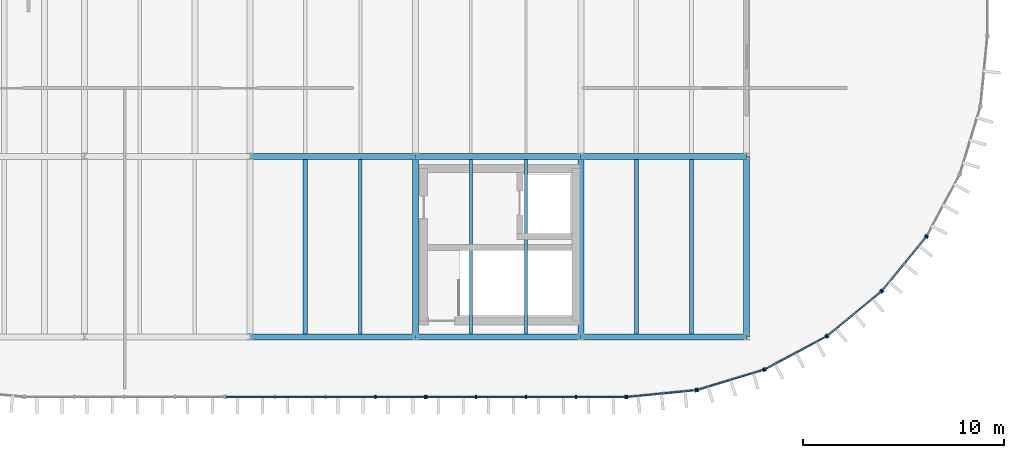
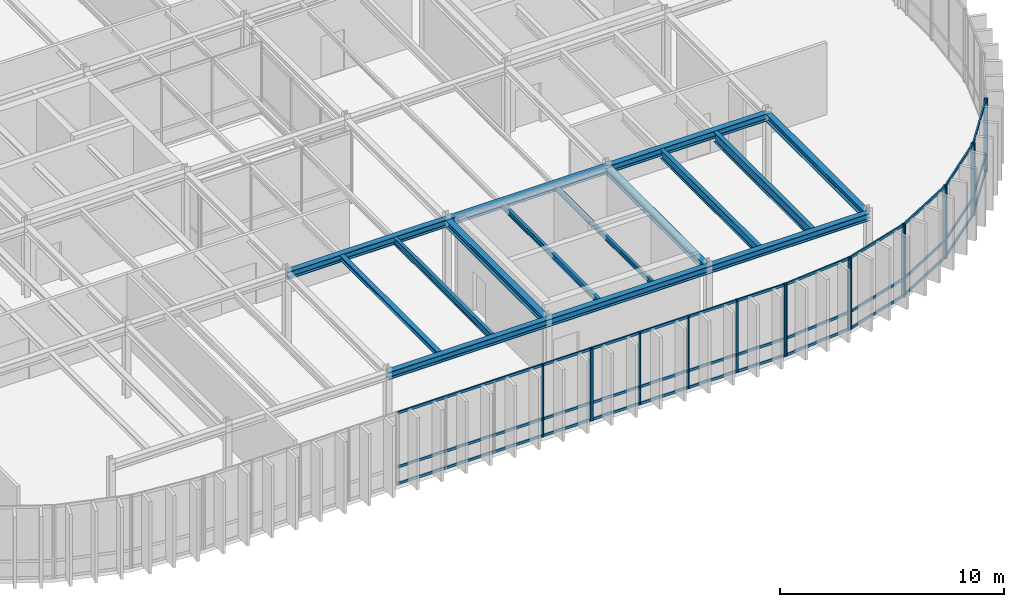
# One storey, part 10 of 21: 39 members, 15 beams, 8 elements without a shape of their own.
"""IFC4 building model written with IfcOpenShell, lengths in metres."""

from ifc_helpers import new_model, si_unit, direction, frame, origin, origin_2d, place, context, subcontext, project, spatial, rectangle, i_section, extrude, material, layer, layer_set, material_profile, profile_set, type_object, element, aggregate, save


model = new_model("IFC4")

# Units and contexts
model_context = context("Model", 3, precision=1e-05, world=origin(), true_north=direction((0.0, 1.0)))
body_context = subcontext(model_context, "Body", "Model", "MODEL_VIEW")
ifc_project = project(units=[si_unit("LENGTHUNIT", "METRE"), si_unit("AREAUNIT", "SQUARE_METRE"), si_unit("VOLUMEUNIT", "CUBIC_METRE"), si_unit("PLANEANGLEUNIT", "RADIAN"), si_unit("MASSUNIT", "GRAM", prefix="KILO")], contexts=[model_context])

# Site, building, storey
site_placement = place(None, origin())
site = spatial("IfcSite", under=ifc_project, at=site_placement, CompositionType="ELEMENT")
building_placement = place(site_placement, origin())
building = spatial("IfcBuilding", under=site, at=building_placement, Name="Montealbar Specialist Clinic", CompositionType="ELEMENT")
storey_placement = place(building_placement, frame((0.0, 0.0, 26.39990234375)))
storey = spatial("IfcBuildingStorey", under=building, at=storey_placement, Name="L06", CompositionType="ELEMENT", Elevation=26.39990234375)

# Beams
ifc_material_1 = material(Name="Steel S355", Category="steel")
ifc_material_profile_1 = material_profile(ifc_material_1, i_section(OverallWidth=0.300048828125, OverallDepth=0.39990234375, WebThickness=0.013427734375, FlangeThickness=0.02392578125, FilletRadius=0.027099609375, at=origin_2d()), Name="HEB 400", Category="steel")
ifc_profile_set_1 = profile_set([ifc_material_profile_1], Name="Steel S355")
beam_type_1 = type_object("IfcBeamType", Name="BM-GIRD-HEB400-EXT", PredefinedType="BEAM", material=ifc_profile_set_1)
for number, where, z_axis, x_axis, name in (
    (1, (74.25, 9.0, 3.72998046875), (1.0, 0.0, 0.0), (0.0, 1.0, 0.0), "Beam GX-L06-742-825-90"),
    (2, (82.5, 9.0, 3.72998046875), (1.0, 0.0, 0.0), (0.0, 1.0, 0.0), "Beam GX-L06-825-908-90"),
    (3, (90.75, 9.0, 3.72998046875), (1.0, 0.0, 0.0), (0.0, 1.0, 0.0), "Beam GX-L06-908-990-90"),
    (4, (74.25, 18.0, 3.72998046875), (1.0, 0.0, 0.0), (0.0, 1.0, 0.0), "Beam GX-L06-742-825-180"),
    (5, (82.5, 18.0, 3.72998046875), (1.0, 0.0, 0.0), (0.0, 1.0, 0.0), "Beam GX-L06-825-908-180"),
    (6, (90.75, 18.0, 3.72998046875), (1.0, 0.0, 0.0), (0.0, 1.0, 0.0), "Beam GX-L06-908-990-180"),
):
    element("IfcBeam", number, at=place(storey_placement, frame(where, z_axis=z_axis, x_axis=x_axis)), inside=storey, type_object=beam_type_1, Name=name, PredefinedType="BEAM", context=body_context, shape_type="SweptSolid", body=[
        extrude(i_section(OverallWidth=0.300048828125, OverallDepth=0.39990234375, WebThickness=0.013427734375, FlangeThickness=0.02392578125, FilletRadius=0.027099609375, at=origin_2d()), origin(), (0.0, 0.0, 1.0), 8.25),
    ])
for number, where, z_axis, x_axis, name in (
    (7, (82.5, 9.0, 3.72998046875), (0.0, 1.0, 0.0), (-1.0, 0.0, 0.0), "Beam GY-L06-825-90-180"),
    (8, (90.75, 9.0, 3.72998046875), (0.0, 1.0, 0.0), (-1.0, 0.0, 0.0), "Beam GY-L06-908-90-180"),
    (9, (99.0, 9.0, 3.72998046875), (0.0, 1.0, 0.0), (-1.0, 0.0, 0.0), "Beam GY-L06-990-90-180"),
):
    element("IfcBeam", number, at=place(storey_placement, frame(where, z_axis=z_axis, x_axis=x_axis)), inside=storey, type_object=beam_type_1, Name=name, PredefinedType="BEAM", context=body_context, shape_type="SweptSolid", body=[
        extrude(i_section(OverallWidth=0.300048828125, OverallDepth=0.39990234375, WebThickness=0.013427734375, FlangeThickness=0.02392578125, FilletRadius=0.027099609375, at=origin_2d()), origin(), (0.0, 0.0, 1.0), 9.0),
    ])
ifc_material_profile_2 = material_profile(ifc_material_1, i_section(OverallWidth=0.135009765625, OverallDepth=0.27001953125, WebThickness=0.006591796875, FlangeThickness=0.01025390625, FilletRadius=0.014892578125, at=origin_2d()), Name="IPE 270", Category="steel")
ifc_profile_set_2 = profile_set([ifc_material_profile_2], Name="Steel S355")
beam_type_2 = type_object("IfcBeamType", Name="BM-JST-IPE270", PredefinedType="JOIST", material=ifc_profile_set_2)
beam_1_placement = place(storey_placement, frame((88.0, 9.14990234375, 3.795166015625), z_axis=(0.0, 1.0, 0.0), x_axis=(-1.0, 0.0, 0.0)))
element("IfcBeam", 10, at=beam_1_placement, inside=storey, type_object=beam_type_2, Name="Beam JST-L06-880-92-178", PredefinedType="JOIST", context=body_context, shape_type="SweptSolid", body=[
    extrude(i_section(OverallWidth=0.135009765625, OverallDepth=0.27001953125, WebThickness=0.006591796875, FlangeThickness=0.01025390625, FilletRadius=0.014892578125, at=origin_2d()), origin(), (0.0, 0.0, 1.0), 8.7001953125),
])
ifc_material_profile_3 = material_profile(ifc_material_1, i_section(OverallWidth=0.14990234375, OverallDepth=0.300048828125, WebThickness=0.007080078125, FlangeThickness=0.0107421875, FilletRadius=0.014892578125, at=origin_2d()), Name="IPE 300", Category="steel")
ifc_profile_set_3 = profile_set([ifc_material_profile_3], Name="Steel S355")
beam_type_3 = type_object("IfcBeamType", Name="BM-JST-IPE300", PredefinedType="JOIST", material=ifc_profile_set_3)
beam_2_placement = place(storey_placement, frame((85.25, 9.14990234375, 3.780029296875), z_axis=(0.0, 1.0, 0.0), x_axis=(-1.0, 0.0, 0.0)))
element("IfcBeam", 11, at=beam_2_placement, inside=storey, type_object=beam_type_3, Name="Beam JST-L06-852-92-178", PredefinedType="JOIST", context=body_context, shape_type="SweptSolid", body=[
    extrude(i_section(OverallWidth=0.14990234375, OverallDepth=0.300048828125, WebThickness=0.007080078125, FlangeThickness=0.0107421875, FilletRadius=0.014892578125, at=origin_2d()), origin(), (0.0, 0.0, 1.0), 8.7001953125),
])
ifc_material_profile_4 = material_profile(ifc_material_1, i_section(OverallWidth=0.169921875, OverallDepth=0.360107421875, WebThickness=0.008056640625, FlangeThickness=0.0126953125, FilletRadius=0.01806640625, at=origin_2d()), Name="IPE 360", Category="steel")
ifc_profile_set_4 = profile_set([ifc_material_profile_4], Name="Steel S355")
beam_type_4 = type_object("IfcBeamType", Name="BM-JST-IPE360", PredefinedType="JOIST", material=ifc_profile_set_4)
beam_3_placement = place(storey_placement, frame((79.75, 9.14990234375, 3.75), z_axis=(0.0, 1.0, 0.0), x_axis=(-1.0, 0.0, 0.0)))
element("IfcBeam", 12, at=beam_3_placement, inside=storey, type_object=beam_type_4, Name="Beam JST-L06-798-92-178", PredefinedType="JOIST", context=body_context, shape_type="SweptSolid", body=[
    extrude(i_section(OverallWidth=0.169921875, OverallDepth=0.360107421875, WebThickness=0.008056640625, FlangeThickness=0.0126953125, FilletRadius=0.01806640625, at=origin_2d()), origin(), (0.0, 0.0, 1.0), 8.7001953125),
])
ifc_material_profile_5 = material_profile(ifc_material_1, i_section(OverallWidth=0.199951171875, OverallDepth=0.5, WebThickness=0.01025390625, FlangeThickness=0.01611328125, FilletRadius=0.02099609375, at=origin_2d()), Name="IPE 500", Category="steel")
ifc_profile_set_5 = profile_set([ifc_material_profile_5], Name="Steel S355")
beam_type_5 = type_object("IfcBeamType", Name="BM-JST-IPE500", PredefinedType="JOIST", material=ifc_profile_set_5)
beam_4_placement = place(storey_placement, frame((93.5, 9.14990234375, 3.68017578125), z_axis=(0.0, 1.0, 0.0), x_axis=(-1.0, 0.0, 0.0)))
element("IfcBeam", 13, at=beam_4_placement, inside=storey, type_object=beam_type_5, Name="Beam JST-L06-935-92-178", PredefinedType="JOIST", context=body_context, shape_type="SweptSolid", body=[
    extrude(i_section(OverallWidth=0.199951171875, OverallDepth=0.5, WebThickness=0.01025390625, FlangeThickness=0.01611328125, FilletRadius=0.02099609375, at=origin_2d()), origin(), (0.0, 0.0, 1.0), 8.7001953125),
])
ifc_material_profile_6 = material_profile(ifc_material_1, i_section(OverallWidth=0.2099609375, OverallDepth=0.550048828125, WebThickness=0.010986328125, FlangeThickness=0.01708984375, FilletRadius=0.02392578125, at=origin_2d()), Name="IPE 550", Category="steel")
ifc_profile_set_6 = profile_set([ifc_material_profile_6], Name="Steel S355")
beam_type_6 = type_object("IfcBeamType", Name="BM-JST-IPE550", PredefinedType="JOIST", material=ifc_profile_set_6)
beam_5_placement = place(storey_placement, frame((96.25, 9.14990234375, 3.655029296875), z_axis=(0.0, 1.0, 0.0), x_axis=(-1.0, 0.0, 0.0)))
element("IfcBeam", 14, at=beam_5_placement, inside=storey, type_object=beam_type_6, Name="Beam JST-L06-962-92-178", PredefinedType="JOIST", context=body_context, shape_type="SweptSolid", body=[
    extrude(i_section(OverallWidth=0.2099609375, OverallDepth=0.550048828125, WebThickness=0.010986328125, FlangeThickness=0.01708984375, FilletRadius=0.02392578125, at=origin_2d()), origin(), (0.0, 0.0, 1.0), 8.7001953125),
])
ifc_material_profile_7 = material_profile(ifc_material_1, i_section(OverallWidth=0.239990234375, OverallDepth=0.22998046875, WebThickness=0.007568359375, FlangeThickness=0.011962890625, FilletRadius=0.02099609375, at=origin_2d()), Name="HEA 240", Category="steel")
ifc_profile_set_7 = profile_set([ifc_material_profile_7], Name="Steel S355")
beam_type_7 = type_object("IfcBeamType", Name="BM-SPAND-HEA240", PredefinedType="SPANDREL", material=ifc_profile_set_7)
beam_6_placement = place(storey_placement, frame((77.0, 9.14990234375, 3.815185546875), z_axis=(0.0, 1.0, 0.0), x_axis=(-1.0, 0.0, 0.0)))
element("IfcBeam", 15, at=beam_6_placement, inside=storey, type_object=beam_type_7, Name="Beam JST-L06-770-92-178", PredefinedType="SPANDREL", context=body_context, shape_type="SweptSolid", body=[
    extrude(i_section(OverallWidth=0.239990234375, OverallDepth=0.22998046875, WebThickness=0.007568359375, FlangeThickness=0.011962890625, FilletRadius=0.02099609375, at=origin_2d()), origin(), (0.0, 0.0, 1.0), 8.7001953125),
])

# Curtain wall, member
ifc_material_2 = material(Name="Low-E double glazing", Category="glass")
ifc_layer_1 = layer(ifc_material_2, 0.199951171875, Name="Low-E double glazing", Category="glass")
ifc_layer_set_1 = layer_set([ifc_layer_1], Name="Low-E double glazing")
curtain_wall_type_1 = type_object("IfcCurtainWallType", Name="CW-TYPE-12", PredefinedType="NOTDEFINED", material=ifc_layer_set_1)
curtain_wall_1_placement = place(storey_placement, origin())
curtain_wall_1 = element("IfcCurtainWall", 16, at=curtain_wall_1_placement, inside=storey, type_object=curtain_wall_type_1, Name="Unitised Curtain Wall CW-L06-1096-171-1080-140-264", PredefinedType="NOTDEFINED")
ifc_material_3 = material(Name="Anodised aluminium EN AW-6063", Category="aluminium")
ifc_material_profile_8 = material_profile(ifc_material_3, rectangle(XDim=0.070068359375, YDim=0.179931640625, at=origin_2d()), Name="ALU 70x180", Category="aluminium")
ifc_profile_set_8 = profile_set([ifc_material_profile_8], Name="Anodised aluminium EN AW-6063")
member_type_1 = type_object("IfcMemberType", Name="CW-MUL-200", PredefinedType="MULLION", material=ifc_profile_set_8)
member_1_placement = place(storey_placement, frame((107.985107421875, 14.034912109375, 0.0), z_axis=(0.0, 0.0, 1.0), x_axis=(-0.471529268958, -0.881850411644, 0.0)))
member_1 = element("IfcMember", 17, at=member_1_placement, type_object=member_type_1, Name="Curtain Wall Mullion CW-L06-1096-171-1080-140-264-01", PredefinedType="MULLION", context=body_context, shape_type="SweptSolid", body=[
    extrude(rectangle(XDim=0.070068359375, YDim=0.179931640625, at=origin_2d()), origin(), (0.0, 0.0, 1.0), 3.93017578125),
])
aggregate(curtain_wall_1, [member_1])

# Curtain wall, members
curtain_wall_2_placement = place(storey_placement, origin())
curtain_wall_2 = element("IfcCurtainWall", 18, at=curtain_wall_2_placement, inside=storey, type_object=curtain_wall_type_1, Name="Unitised Curtain Wall CW-L06-1080-140-1057-113-264", PredefinedType="NOTDEFINED")
member_2_placement = place(storey_placement, frame((107.94091796875, 13.968994140625, 0.0), z_axis=(0.0, 0.0, 1.0), x_axis=(-0.634255808922, -0.773123255923, 0.0)))
member_2 = element("IfcMember", 19, at=member_2_placement, type_object=member_type_1, Name="Curtain Wall Mullion CW-L06-1080-140-1057-113-264-00", PredefinedType="MULLION", context=body_context, shape_type="SweptSolid", body=[
    extrude(rectangle(XDim=0.070068359375, YDim=0.179931640625, at=origin_2d()), origin(), (0.0, 0.0, 1.0), 3.93017578125),
])
member_3_placement = place(storey_placement, frame((105.7529296875, 11.302978515625, 0.0), z_axis=(0.0, 0.0, 1.0), x_axis=(-0.634255808922, -0.773123255923, 0.0)))
member_3 = element("IfcMember", 20, at=member_3_placement, type_object=member_type_1, Name="Curtain Wall Mullion CW-L06-1080-140-1057-113-264-01", PredefinedType="MULLION", context=body_context, shape_type="SweptSolid", body=[
    extrude(rectangle(XDim=0.070068359375, YDim=0.179931640625, at=origin_2d()), origin(), (0.0, 0.0, 1.0), 3.93017578125),
])

curtain_wall_3_placement = place(storey_placement, origin())
curtain_wall_3 = element("IfcCurtainWall", 21, at=curtain_wall_3_placement, inside=storey, type_object=curtain_wall_type_1, Name="Unitised Curtain Wall CW-L06-1057-113-1030-90-264", PredefinedType="NOTDEFINED")
member_4_placement = place(storey_placement, frame((105.697021484375, 11.2470703125, 0.0), z_axis=(0.0, 0.0, 1.0), x_axis=(-0.773123255923, -0.634255808922, 0.0)))
member_4 = element("IfcMember", 22, at=member_4_placement, type_object=member_type_1, Name="Curtain Wall Mullion CW-L06-1057-113-1030-90-264-00", PredefinedType="MULLION", context=body_context, shape_type="SweptSolid", body=[
    extrude(rectangle(XDim=0.070068359375, YDim=0.179931640625, at=origin_2d()), origin(), (0.0, 0.0, 1.0), 3.93017578125),
])
member_5_placement = place(storey_placement, frame((103.031005859375, 9.05908203125, 0.0), z_axis=(0.0, 0.0, 1.0), x_axis=(-0.773123255923, -0.634255808922, 0.0)))
member_5 = element("IfcMember", 23, at=member_5_placement, type_object=member_type_1, Name="Curtain Wall Mullion CW-L06-1057-113-1030-90-264-01", PredefinedType="MULLION", context=body_context, shape_type="SweptSolid", body=[
    extrude(rectangle(XDim=0.070068359375, YDim=0.179931640625, at=origin_2d()), origin(), (0.0, 0.0, 1.0), 3.93017578125),
])

curtain_wall_4_placement = place(storey_placement, origin())
curtain_wall_4 = element("IfcCurtainWall", 24, at=curtain_wall_4_placement, inside=storey, type_object=curtain_wall_type_1, Name="Unitised Curtain Wall CW-L06-1030-90-999-74-264", PredefinedType="NOTDEFINED")
member_6_placement = place(storey_placement, frame((102.965087890625, 9.014892578125, 0.0), z_axis=(0.0, 0.0, 1.0), x_axis=(-0.881850411644, -0.471529268958, 0.0)))
member_6 = element("IfcMember", 25, at=member_6_placement, type_object=member_type_1, Name="Curtain Wall Mullion CW-L06-1030-90-999-74-264-00", PredefinedType="MULLION", context=body_context, shape_type="SweptSolid", body=[
    extrude(rectangle(XDim=0.070068359375, YDim=0.179931640625, at=origin_2d()), origin(), (0.0, 0.0, 1.0), 3.93017578125),
])
member_7_placement = place(storey_placement, frame((99.923095703125, 7.388916015625, 0.0), z_axis=(0.0, 0.0, 1.0), x_axis=(-0.881850411644, -0.471529268958, 0.0)))
member_7 = element("IfcMember", 26, at=member_7_placement, type_object=member_type_1, Name="Curtain Wall Mullion CW-L06-1030-90-999-74-264-01", PredefinedType="MULLION", context=body_context, shape_type="SweptSolid", body=[
    extrude(rectangle(XDim=0.070068359375, YDim=0.179931640625, at=origin_2d()), origin(), (0.0, 0.0, 1.0), 3.93017578125),
])

curtain_wall_5_placement = place(storey_placement, origin())
curtain_wall_5 = element("IfcCurtainWall", 27, at=curtain_wall_5_placement, inside=storey, type_object=curtain_wall_type_1, Name="Unitised Curtain Wall CW-L06-999-74-965-63-264", PredefinedType="NOTDEFINED")
member_8_placement = place(storey_placement, frame((99.85009765625, 7.35791015625, 0.0), z_axis=(0.0, 0.0, 1.0), x_axis=(-0.956948083701, -0.290259134399, 0.0)))
member_8 = element("IfcMember", 28, at=member_8_placement, type_object=member_type_1, Name="Curtain Wall Mullion CW-L06-999-74-965-63-264-00", PredefinedType="MULLION", context=body_context, shape_type="SweptSolid", body=[
    extrude(rectangle(XDim=0.070068359375, YDim=0.179931640625, at=origin_2d()), origin(), (0.0, 0.0, 1.0), 3.93017578125),
])
member_9_placement = place(storey_placement, frame((96.550048828125, 6.35791015625, 0.0), z_axis=(0.0, 0.0, 1.0), x_axis=(-0.956948083701, -0.290259134399, 0.0)))
member_9 = element("IfcMember", 29, at=member_9_placement, type_object=member_type_1, Name="Curtain Wall Mullion CW-L06-999-74-965-63-264-01", PredefinedType="MULLION", context=body_context, shape_type="SweptSolid", body=[
    extrude(rectangle(XDim=0.070068359375, YDim=0.179931640625, at=origin_2d()), origin(), (0.0, 0.0, 1.0), 3.93017578125),
])

curtain_wall_6_placement = place(storey_placement, origin())
curtain_wall_6 = element("IfcCurtainWall", 30, at=curtain_wall_6_placement, inside=storey, type_object=curtain_wall_type_1, Name="Unitised Curtain Wall CW-L06-965-63-930-60-264", PredefinedType="NOTDEFINED")
member_10_placement = place(storey_placement, frame((96.471923828125, 6.342041015625, 0.0), z_axis=(0.0, 0.0, 1.0), x_axis=(-0.995182012183, -0.098044697094, 0.0)))
member_10 = element("IfcMember", 31, at=member_10_placement, type_object=member_type_1, Name="Curtain Wall Mullion CW-L06-965-63-930-60-264-00", PredefinedType="MULLION", context=body_context, shape_type="SweptSolid", body=[
    extrude(rectangle(XDim=0.070068359375, YDim=0.179931640625, at=origin_2d()), origin(), (0.0, 0.0, 1.0), 3.93017578125),
])
member_11_placement = place(storey_placement, frame((93.0400390625, 6.00390625, 0.0), z_axis=(0.0, 0.0, 1.0), x_axis=(-0.995182012183, -0.098044697094, 0.0)))
member_11 = element("IfcMember", 32, at=member_11_placement, type_object=member_type_1, Name="Curtain Wall Mullion CW-L06-965-63-930-60-264-01", PredefinedType="MULLION", context=body_context, shape_type="SweptSolid", body=[
    extrude(rectangle(XDim=0.070068359375, YDim=0.179931640625, at=origin_2d()), origin(), (0.0, 0.0, 1.0), 3.93017578125),
])

ifc_layer_2 = layer(ifc_material_2, 0.199951171875, Name="Low-E double glazing", Category="glass")
ifc_layer_set_2 = layer_set([ifc_layer_2], Name="Low-E double glazing")
curtain_wall_type_2 = type_object("IfcCurtainWallType", Name="CW-TYPE-43", PredefinedType="NOTDEFINED", material=ifc_layer_set_2)
curtain_wall_7_placement = place(storey_placement, origin())
curtain_wall_7 = element("IfcCurtainWall", 33, at=curtain_wall_7_placement, inside=storey, type_object=curtain_wall_type_2, Name="Unitised Curtain Wall CW-L06-930-60-830-60-264", PredefinedType="NOTDEFINED")
member_12_placement = place(storey_placement, frame((92.9599609375, 6.0, 0.0), z_axis=(0.0, 0.0, 1.0), x_axis=(-1.0, 0.0, 0.0)))
member_12 = element("IfcMember", 34, at=member_12_placement, type_object=member_type_1, Name="Curtain Wall Mullion CW-L06-930-60-830-60-264-00", PredefinedType="MULLION", context=body_context, shape_type="SweptSolid", body=[
    extrude(rectangle(XDim=0.070068359375, YDim=0.179931640625, at=origin_2d()), origin(), (0.0, 0.0, 1.0), 3.93017578125),
])
member_13_placement = place(storey_placement, frame((90.5, 6.0, 0.0), z_axis=(0.0, 0.0, 1.0), x_axis=(-1.0, 0.0, 0.0)))
member_13 = element("IfcMember", 35, at=member_13_placement, type_object=member_type_1, Name="Curtain Wall Mullion CW-L06-930-60-830-60-264-01", PredefinedType="MULLION", context=body_context, shape_type="SweptSolid", body=[
    extrude(rectangle(XDim=0.070068359375, YDim=0.179931640625, at=origin_2d()), origin(), (0.0, 0.0, 1.0), 3.93017578125),
])
member_14_placement = place(storey_placement, frame((88.0, 6.0, 0.0), z_axis=(0.0, 0.0, 1.0), x_axis=(-1.0, 0.0, 0.0)))
member_14 = element("IfcMember", 36, at=member_14_placement, type_object=member_type_1, Name="Curtain Wall Mullion CW-L06-930-60-830-60-264-02", PredefinedType="MULLION", context=body_context, shape_type="SweptSolid", body=[
    extrude(rectangle(XDim=0.070068359375, YDim=0.179931640625, at=origin_2d()), origin(), (0.0, 0.0, 1.0), 3.93017578125),
])
member_15_placement = place(storey_placement, frame((85.5, 6.0, 0.0), z_axis=(0.0, 0.0, 1.0), x_axis=(-1.0, 0.0, 0.0)))
member_15 = element("IfcMember", 37, at=member_15_placement, type_object=member_type_1, Name="Curtain Wall Mullion CW-L06-930-60-830-60-264-03", PredefinedType="MULLION", context=body_context, shape_type="SweptSolid", body=[
    extrude(rectangle(XDim=0.070068359375, YDim=0.179931640625, at=origin_2d()), origin(), (0.0, 0.0, 1.0), 3.93017578125),
])
member_16_placement = place(storey_placement, frame((83.0400390625, 6.0, 0.0), z_axis=(0.0, 0.0, 1.0), x_axis=(-1.0, 0.0, 0.0)))
member_16 = element("IfcMember", 38, at=member_16_placement, type_object=member_type_1, Name="Curtain Wall Mullion CW-L06-930-60-830-60-264-04", PredefinedType="MULLION", context=body_context, shape_type="SweptSolid", body=[
    extrude(rectangle(XDim=0.070068359375, YDim=0.179931640625, at=origin_2d()), origin(), (0.0, 0.0, 1.0), 3.93017578125),
])

curtain_wall_8_placement = place(storey_placement, origin())
curtain_wall_8 = element("IfcCurtainWall", 39, at=curtain_wall_8_placement, inside=storey, type_object=curtain_wall_type_2, Name="Unitised Curtain Wall CW-L06-830-60-730-60-264", PredefinedType="NOTDEFINED")
member_17_placement = place(storey_placement, frame((82.9599609375, 6.0, 0.0), z_axis=(0.0, 0.0, 1.0), x_axis=(-1.0, 0.0, 0.0)))
member_17 = element("IfcMember", 40, at=member_17_placement, type_object=member_type_1, Name="Curtain Wall Mullion CW-L06-830-60-730-60-264-00", PredefinedType="MULLION", context=body_context, shape_type="SweptSolid", body=[
    extrude(rectangle(XDim=0.070068359375, YDim=0.179931640625, at=origin_2d()), origin(), (0.0, 0.0, 1.0), 3.93017578125),
])
member_18_placement = place(storey_placement, frame((80.5, 6.0, 0.0), z_axis=(0.0, 0.0, 1.0), x_axis=(-1.0, 0.0, 0.0)))
member_18 = element("IfcMember", 41, at=member_18_placement, type_object=member_type_1, Name="Curtain Wall Mullion CW-L06-830-60-730-60-264-01", PredefinedType="MULLION", context=body_context, shape_type="SweptSolid", body=[
    extrude(rectangle(XDim=0.070068359375, YDim=0.179931640625, at=origin_2d()), origin(), (0.0, 0.0, 1.0), 3.93017578125),
])

# Member
ifc_material_4 = material(Name="Powder-coated aluminium", Category="aluminium")
ifc_material_profile_9 = material_profile(ifc_material_4, rectangle(XDim=0.070068359375, YDim=0.139892578125, at=origin_2d()), Name="ALU 70x140", Category="aluminium")
ifc_profile_set_9 = profile_set([ifc_material_profile_9], Name="Powder-coated aluminium")
member_type_2 = type_object("IfcMemberType", Name="CW-TRN-140", PredefinedType="USERDEFINED", material=ifc_profile_set_9)
member_19_placement = place(storey_placement, frame((107.93408203125, 13.9609375, 0.0400390625), z_axis=(-0.634280591441, -0.773102924144, 0.0), x_axis=(0.773102924144, -0.634280591441, 0.0)))
member_19 = element("IfcMember", 42, at=member_19_placement, type_object=member_type_2, Name="Curtain Wall Transom CW-L06-1080-140-1057-113-264-00", ObjectType="TRANSOM", PredefinedType="USERDEFINED", context=body_context, shape_type="SweptSolid", body=[
    extrude(rectangle(XDim=0.070068359375, YDim=0.139892578125, at=origin_2d()), origin(), (0.0, 0.0, 1.0), 3.427734375),
])

member_20_placement = place(storey_placement, frame((107.93408203125, 13.9609375, 0.9501953125), z_axis=(-0.634280591441, -0.773102924144, 0.0), x_axis=(0.773102924144, -0.634280591441, 0.0)))
member_20 = element("IfcMember", 43, at=member_20_placement, type_object=member_type_2, Name="Curtain Wall Transom CW-L06-1080-140-1057-113-264-01", ObjectType="TRANSOM", PredefinedType="USERDEFINED", context=body_context, shape_type="SweptSolid", body=[
    extrude(rectangle(XDim=0.070068359375, YDim=0.139892578125, at=origin_2d()), origin(), (0.0, 0.0, 1.0), 3.427734375),
])

member_21_placement = place(storey_placement, frame((107.93408203125, 13.9609375, 3.89013671875), z_axis=(-0.634280591441, -0.773102924144, 0.0), x_axis=(0.773102924144, -0.634280591441, 0.0)))
member_21 = element("IfcMember", 44, at=member_21_placement, type_object=member_type_2, Name="Curtain Wall Transom CW-L06-1080-140-1057-113-264-02", ObjectType="TRANSOM", PredefinedType="USERDEFINED", context=body_context, shape_type="SweptSolid", body=[
    extrude(rectangle(XDim=0.070068359375, YDim=0.139892578125, at=origin_2d()), origin(), (0.0, 0.0, 1.0), 3.427734375),
])

aggregate(curtain_wall_2, [member_2, member_3, member_19, member_20, member_21])

member_22_placement = place(storey_placement, frame((105.68896484375, 11.239990234375, 0.0400390625), z_axis=(-0.773102924144, -0.634280591441, 0.0), x_axis=(0.634280591441, -0.773102924144, 0.0)))
member_22 = element("IfcMember", 45, at=member_22_placement, type_object=member_type_2, Name="Curtain Wall Transom CW-L06-1057-113-1030-90-264-00", ObjectType="TRANSOM", PredefinedType="USERDEFINED", context=body_context, shape_type="SweptSolid", body=[
    extrude(rectangle(XDim=0.070068359375, YDim=0.139892578125, at=origin_2d()), origin(), (0.0, 0.0, 1.0), 3.427734375),
])

member_23_placement = place(storey_placement, frame((105.68896484375, 11.239990234375, 0.9501953125), z_axis=(-0.773102924144, -0.634280591441, 0.0), x_axis=(0.634280591441, -0.773102924144, 0.0)))
member_23 = element("IfcMember", 46, at=member_23_placement, type_object=member_type_2, Name="Curtain Wall Transom CW-L06-1057-113-1030-90-264-01", ObjectType="TRANSOM", PredefinedType="USERDEFINED", context=body_context, shape_type="SweptSolid", body=[
    extrude(rectangle(XDim=0.070068359375, YDim=0.139892578125, at=origin_2d()), origin(), (0.0, 0.0, 1.0), 3.427734375),
])

member_24_placement = place(storey_placement, frame((105.68896484375, 11.239990234375, 3.89013671875), z_axis=(-0.773102924144, -0.634280591441, 0.0), x_axis=(0.634280591441, -0.773102924144, 0.0)))
member_24 = element("IfcMember", 47, at=member_24_placement, type_object=member_type_2, Name="Curtain Wall Transom CW-L06-1057-113-1030-90-264-02", ObjectType="TRANSOM", PredefinedType="USERDEFINED", context=body_context, shape_type="SweptSolid", body=[
    extrude(rectangle(XDim=0.070068359375, YDim=0.139892578125, at=origin_2d()), origin(), (0.0, 0.0, 1.0), 3.427734375),
])

aggregate(curtain_wall_3, [member_4, member_5, member_22, member_23, member_24])

member_25_placement = place(storey_placement, frame((102.9560546875, 9.010009765625, 0.0400390625), z_axis=(-0.881980147273, -0.471286558069, 0.0), x_axis=(0.471286558069, -0.881980147273, 0.0)))
member_25 = element("IfcMember", 48, at=member_25_placement, type_object=member_type_2, Name="Curtain Wall Transom CW-L06-1030-90-999-74-264-00", ObjectType="TRANSOM", PredefinedType="USERDEFINED", context=body_context, shape_type="SweptSolid", body=[
    extrude(rectangle(XDim=0.070068359375, YDim=0.139892578125, at=origin_2d()), origin(), (0.0, 0.0, 1.0), 3.428955078125),
])

member_26_placement = place(storey_placement, frame((102.9560546875, 9.010009765625, 0.9501953125), z_axis=(-0.881980147273, -0.471286558069, 0.0), x_axis=(0.471286558069, -0.881980147273, 0.0)))
member_26 = element("IfcMember", 49, at=member_26_placement, type_object=member_type_2, Name="Curtain Wall Transom CW-L06-1030-90-999-74-264-01", ObjectType="TRANSOM", PredefinedType="USERDEFINED", context=body_context, shape_type="SweptSolid", body=[
    extrude(rectangle(XDim=0.070068359375, YDim=0.139892578125, at=origin_2d()), origin(), (0.0, 0.0, 1.0), 3.428955078125),
])

member_27_placement = place(storey_placement, frame((102.9560546875, 9.010009765625, 3.89013671875), z_axis=(-0.881980147273, -0.471286558069, 0.0), x_axis=(0.471286558069, -0.881980147273, 0.0)))
member_27 = element("IfcMember", 50, at=member_27_placement, type_object=member_type_2, Name="Curtain Wall Transom CW-L06-1030-90-999-74-264-02", ObjectType="TRANSOM", PredefinedType="USERDEFINED", context=body_context, shape_type="SweptSolid", body=[
    extrude(rectangle(XDim=0.070068359375, YDim=0.139892578125, at=origin_2d()), origin(), (0.0, 0.0, 1.0), 3.428955078125),
])

aggregate(curtain_wall_4, [member_6, member_7, member_25, member_26, member_27])

member_28_placement = place(storey_placement, frame((99.840087890625, 7.35498046875, 0.0400390625), z_axis=(-0.957028598092, -0.289993555849, 0.0), x_axis=(0.289993555849, -0.957028598092, 0.0)))
member_28 = element("IfcMember", 51, at=member_28_placement, type_object=member_type_2, Name="Curtain Wall Transom CW-L06-999-74-965-63-264-00", ObjectType="TRANSOM", PredefinedType="USERDEFINED", context=body_context, shape_type="SweptSolid", body=[
    extrude(rectangle(XDim=0.070068359375, YDim=0.139892578125, at=origin_2d()), origin(), (0.0, 0.0, 1.0), 3.42724609375),
])

member_29_placement = place(storey_placement, frame((99.840087890625, 7.35498046875, 0.9501953125), z_axis=(-0.957028598092, -0.289993555849, 0.0), x_axis=(0.289993555849, -0.957028598092, 0.0)))
member_29 = element("IfcMember", 52, at=member_29_placement, type_object=member_type_2, Name="Curtain Wall Transom CW-L06-999-74-965-63-264-01", ObjectType="TRANSOM", PredefinedType="USERDEFINED", context=body_context, shape_type="SweptSolid", body=[
    extrude(rectangle(XDim=0.070068359375, YDim=0.139892578125, at=origin_2d()), origin(), (0.0, 0.0, 1.0), 3.42724609375),
])

member_30_placement = place(storey_placement, frame((99.840087890625, 7.35498046875, 3.89013671875), z_axis=(-0.957028598092, -0.289993555849, 0.0), x_axis=(0.289993555849, -0.957028598092, 0.0)))
member_30 = element("IfcMember", 53, at=member_30_placement, type_object=member_type_2, Name="Curtain Wall Transom CW-L06-999-74-965-63-264-02", ObjectType="TRANSOM", PredefinedType="USERDEFINED", context=body_context, shape_type="SweptSolid", body=[
    extrude(rectangle(XDim=0.070068359375, YDim=0.139892578125, at=origin_2d()), origin(), (0.0, 0.0, 1.0), 3.42724609375),
])

aggregate(curtain_wall_5, [member_8, member_9, member_28, member_29, member_30])

member_31_placement = place(storey_placement, frame((96.4619140625, 6.341064453125, 0.0400390625), z_axis=(-0.995180678623, -0.098058232162, 0.0), x_axis=(0.098058232162, -0.995180678623, 0.0)))
member_31 = element("IfcMember", 54, at=member_31_placement, type_object=member_type_2, Name="Curtain Wall Transom CW-L06-965-63-930-60-264-00", ObjectType="TRANSOM", PredefinedType="USERDEFINED", context=body_context, shape_type="SweptSolid", body=[
    extrude(rectangle(XDim=0.070068359375, YDim=0.139892578125, at=origin_2d()), origin(), (0.0, 0.0, 1.0), 3.428466796875),
])

member_32_placement = place(storey_placement, frame((96.4619140625, 6.341064453125, 0.9501953125), z_axis=(-0.995180678623, -0.098058232162, 0.0), x_axis=(0.098058232162, -0.995180678623, 0.0)))
member_32 = element("IfcMember", 55, at=member_32_placement, type_object=member_type_2, Name="Curtain Wall Transom CW-L06-965-63-930-60-264-01", ObjectType="TRANSOM", PredefinedType="USERDEFINED", context=body_context, shape_type="SweptSolid", body=[
    extrude(rectangle(XDim=0.070068359375, YDim=0.139892578125, at=origin_2d()), origin(), (0.0, 0.0, 1.0), 3.428466796875),
])

member_33_placement = place(storey_placement, frame((96.4619140625, 6.341064453125, 3.89013671875), z_axis=(-0.995180678623, -0.098058232162, 0.0), x_axis=(0.098058232162, -0.995180678623, 0.0)))
member_33 = element("IfcMember", 56, at=member_33_placement, type_object=member_type_2, Name="Curtain Wall Transom CW-L06-965-63-930-60-264-02", ObjectType="TRANSOM", PredefinedType="USERDEFINED", context=body_context, shape_type="SweptSolid", body=[
    extrude(rectangle(XDim=0.070068359375, YDim=0.139892578125, at=origin_2d()), origin(), (0.0, 0.0, 1.0), 3.428466796875),
])

aggregate(curtain_wall_6, [member_10, member_11, member_31, member_32, member_33])

member_34_placement = place(storey_placement, frame((92.949951171875, 6.0, 0.0400390625), z_axis=(-1.0, 0.0, 0.0), x_axis=(0.0, -1.0, 0.0)))
member_34 = element("IfcMember", 57, at=member_34_placement, type_object=member_type_2, Name="Curtain Wall Transom CW-L06-930-60-830-60-264-00", ObjectType="TRANSOM", PredefinedType="USERDEFINED", context=body_context, shape_type="SweptSolid", body=[
    extrude(rectangle(XDim=0.070068359375, YDim=0.139892578125, at=origin_2d()), origin(), (0.0, 0.0, 1.0), 9.89990234375),
])

member_35_placement = place(storey_placement, frame((92.949951171875, 6.0, 0.9501953125), z_axis=(-1.0, 0.0, 0.0), x_axis=(0.0, -1.0, 0.0)))
member_35 = element("IfcMember", 58, at=member_35_placement, type_object=member_type_2, Name="Curtain Wall Transom CW-L06-930-60-830-60-264-01", ObjectType="TRANSOM", PredefinedType="USERDEFINED", context=body_context, shape_type="SweptSolid", body=[
    extrude(rectangle(XDim=0.070068359375, YDim=0.139892578125, at=origin_2d()), origin(), (0.0, 0.0, 1.0), 9.89990234375),
])

member_36_placement = place(storey_placement, frame((92.949951171875, 6.0, 3.89013671875), z_axis=(-1.0, 0.0, 0.0), x_axis=(0.0, -1.0, 0.0)))
member_36 = element("IfcMember", 59, at=member_36_placement, type_object=member_type_2, Name="Curtain Wall Transom CW-L06-930-60-830-60-264-02", ObjectType="TRANSOM", PredefinedType="USERDEFINED", context=body_context, shape_type="SweptSolid", body=[
    extrude(rectangle(XDim=0.070068359375, YDim=0.139892578125, at=origin_2d()), origin(), (0.0, 0.0, 1.0), 9.89990234375),
])

aggregate(curtain_wall_7, [member_12, member_13, member_14, member_15, member_16, member_34, member_35, member_36])

member_37_placement = place(storey_placement, frame((82.949951171875, 6.0, 0.0400390625), z_axis=(-1.0, 0.0, 0.0), x_axis=(0.0, -1.0, 0.0)))
member_37 = element("IfcMember", 60, at=member_37_placement, type_object=member_type_2, Name="Curtain Wall Transom CW-L06-830-60-730-60-264-00", ObjectType="TRANSOM", PredefinedType="USERDEFINED", context=body_context, shape_type="SweptSolid", body=[
    extrude(rectangle(XDim=0.070068359375, YDim=0.139892578125, at=origin_2d()), origin(), (0.0, 0.0, 1.0), 9.89990234375),
])

member_38_placement = place(storey_placement, frame((82.949951171875, 6.0, 0.9501953125), z_axis=(-1.0, 0.0, 0.0), x_axis=(0.0, -1.0, 0.0)))
member_38 = element("IfcMember", 61, at=member_38_placement, type_object=member_type_2, Name="Curtain Wall Transom CW-L06-830-60-730-60-264-01", ObjectType="TRANSOM", PredefinedType="USERDEFINED", context=body_context, shape_type="SweptSolid", body=[
    extrude(rectangle(XDim=0.070068359375, YDim=0.139892578125, at=origin_2d()), origin(), (0.0, 0.0, 1.0), 9.89990234375),
])

member_39_placement = place(storey_placement, frame((82.949951171875, 6.0, 3.89013671875), z_axis=(-1.0, 0.0, 0.0), x_axis=(0.0, -1.0, 0.0)))
member_39 = element("IfcMember", 62, at=member_39_placement, type_object=member_type_2, Name="Curtain Wall Transom CW-L06-830-60-730-60-264-02", ObjectType="TRANSOM", PredefinedType="USERDEFINED", context=body_context, shape_type="SweptSolid", body=[
    extrude(rectangle(XDim=0.070068359375, YDim=0.139892578125, at=origin_2d()), origin(), (0.0, 0.0, 1.0), 9.89990234375),
])

aggregate(curtain_wall_8, [member_17, member_18, member_37, member_38, member_39])

save(model, "model.ifc")
